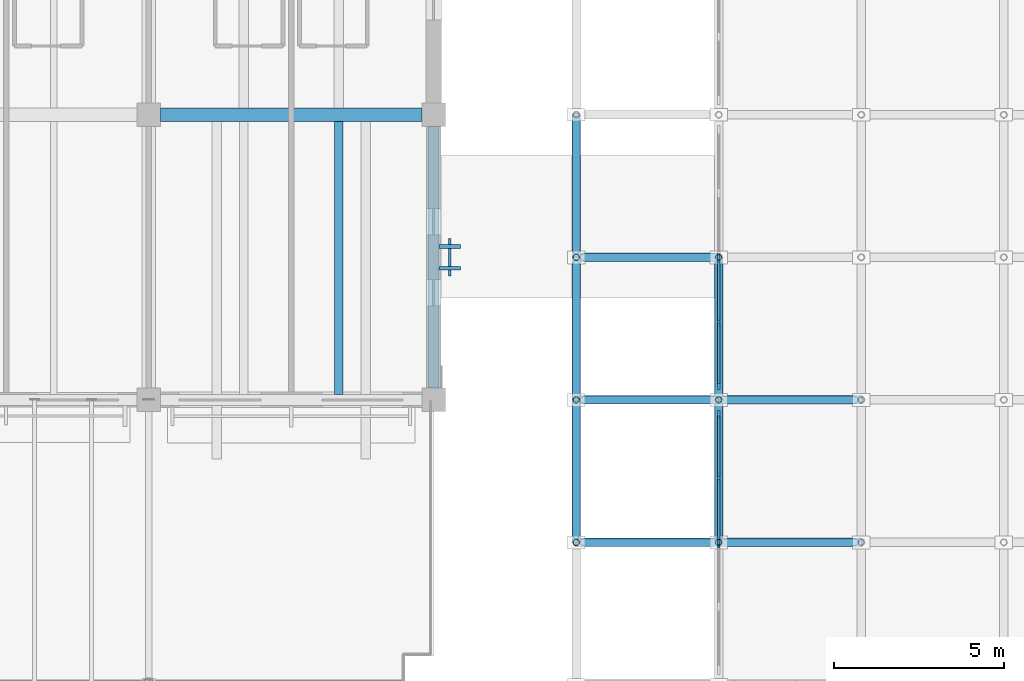
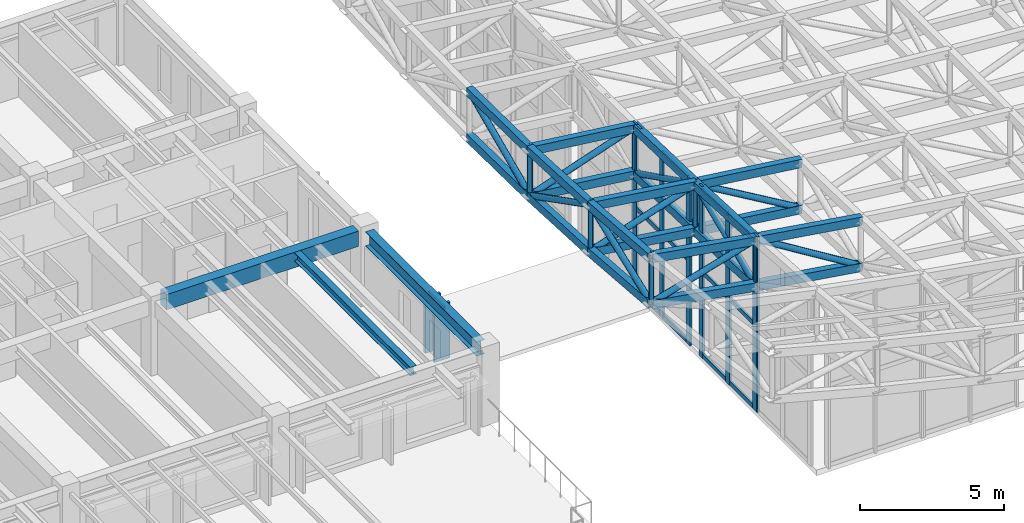
# One storey, part 21 of 111: 58 members, 3 beams, 4 elements without a shape of their own.
"""IFC4 building model written with IfcOpenShell, lengths in metres."""

from ifc_helpers import new_model, si_unit, direction, frame, origin, origin_2d, place, context, subcontext, project, spatial, rectangle, hollow_rectangle, hollow_circle, i_section, extrude, material, material_profile, profile_set, type_object, element, aggregate, save


model = new_model("IFC4")

# Units and contexts
model_context = context("Model", 3, precision=1e-05, world=origin(), true_north=direction((0.0, 1.0)))
body_context = subcontext(model_context, "Body", "Model", "MODEL_VIEW")
ifc_project = project(units=[si_unit("LENGTHUNIT", "METRE"), si_unit("AREAUNIT", "SQUARE_METRE"), si_unit("VOLUMEUNIT", "CUBIC_METRE"), si_unit("PLANEANGLEUNIT", "RADIAN"), si_unit("MASSUNIT", "GRAM", prefix="KILO")], contexts=[model_context])

# Site, building, storey
site_placement = place(None, origin())
site = spatial("IfcSite", under=ifc_project, at=site_placement, CompositionType="ELEMENT")
building_placement = place(site_placement, origin())
building = spatial("IfcBuilding", under=site, at=building_placement, Name="Cumbredor Promenade Congress Hotel", CompositionType="ELEMENT")
storey_placement = place(building_placement, frame((0.0, 0.0, 15.1201171875)))
storey = spatial("IfcBuildingStorey", under=building, at=storey_placement, Name="L04", CompositionType="ELEMENT", Elevation=15.1201171875)

# Beam
ifc_material_1 = material(Name="Concrete C40/50", Category="concrete")
ifc_material_profile_1 = material_profile(ifc_material_1, rectangle(XDim=0.39990234375, YDim=0.64990234375, at=origin_2d()), Name="RC BEAM 400x650")
ifc_profile_set_1 = profile_set([ifc_material_profile_1], Name="Concrete C40/50")
beam_type_1 = type_object("IfcBeamType", Name="BM-RC-400x650", PredefinedType="BEAM", material=ifc_profile_set_1)
beam_1_placement = place(storey_placement, frame((75.949951171875, 100.800048828125, 2.794921875), z_axis=(1.0, 0.0, 0.0), x_axis=(0.0, 1.0, 0.0)))
element("IfcBeam", 1, at=beam_1_placement, inside=storey, type_object=beam_type_1, Name="L05 X-Grid Beam 125", PredefinedType="BEAM", context=body_context, shape_type="SweptSolid", body=[
    extrude(rectangle(XDim=0.39990234375, YDim=0.64990234375, at=origin_2d()), origin(), (0.0, 0.0, 1.0), 7.699951171875),
])

# Curtain wall, member
ifc_material_2 = material(Name="Thermally broken anodized aluminium and low-E glass", Category="aluminium")
curtain_wall_type_1 = type_object("IfcCurtainWallType", Name="Stepped Pavilion Clerestory Curtain Wall CW-06", PredefinedType="NOTDEFINED", material=ifc_material_2)
curtain_wall_1_placement = place(storey_placement, origin())
curtain_wall_1 = element("IfcCurtainWall", 2, at=curtain_wall_1_placement, inside=storey, type_object=curtain_wall_type_1, Name="Pre-Function and Breakout Meeting Forum W Glazed Clerestory 1", PredefinedType="NOTDEFINED")
ifc_material_3 = material(Name="Thermally broken anodized aluminium", Category="aluminium")
ifc_material_profile_2 = material_profile(ifc_material_3, rectangle(XDim=0.0849609375, YDim=0.260009765625, at=origin_2d()), Name="ALU MULLION CLERESTORY 85x260")
ifc_profile_set_2 = profile_set([ifc_material_profile_2], Name="Thermally broken anodized aluminium")
member_type_1 = type_object("IfcMemberType", Name="Curtain Wall Mullion ML-04", PredefinedType="MULLION", material=ifc_profile_set_2)
member_1_placement = place(storey_placement, frame((92.39990234375, 88.159912109375, -0.01806640625), z_axis=(0.0, 0.0, 1.0), x_axis=(1.0, 0.0, 0.0)))
member_1 = element("IfcMember", 3, at=member_1_placement, type_object=member_type_1, Name="Pre-Function and Breakout Meeting Forum W Glazed Clerestory 1 Mullion 3", PredefinedType="MULLION", context=body_context, shape_type="SweptSolid", body=[
    extrude(rectangle(XDim=0.0849609375, YDim=0.260009765625, at=origin_2d()), origin(), (0.0, 0.0, 1.0), 7.4609375),
])
aggregate(curtain_wall_1, [member_1])

# Curtain wall, members
curtain_wall_2_placement = place(storey_placement, origin())
curtain_wall_2 = element("IfcCurtainWall", 4, at=curtain_wall_2_placement, inside=storey, type_object=curtain_wall_type_1, Name="Pre-Function and Breakout Meeting Forum W Glazed Clerestory 2", PredefinedType="NOTDEFINED")
member_2_placement = place(storey_placement, frame((92.39990234375, 88.239990234375, -0.01806640625), z_axis=(0.0, 0.0, 1.0), x_axis=(1.0, 0.0, 0.0)))
member_2 = element("IfcMember", 5, at=member_2_placement, type_object=member_type_1, Name="Pre-Function and Breakout Meeting Forum W Glazed Clerestory 2 Mullion 1", PredefinedType="MULLION", context=body_context, shape_type="SweptSolid", body=[
    extrude(rectangle(XDim=0.0849609375, YDim=0.260009765625, at=origin_2d()), origin(), (0.0, 0.0, 1.0), 7.248046875),
])
member_3_placement = place(storey_placement, frame((92.39990234375, 90.10009765625, -0.01806640625), z_axis=(0.0, 0.0, 1.0), x_axis=(1.0, 0.0, 0.0)))
member_3 = element("IfcMember", 6, at=member_3_placement, type_object=member_type_1, Name="Pre-Function and Breakout Meeting Forum W Glazed Clerestory 2 Mullion 2", PredefinedType="MULLION", context=body_context, shape_type="SweptSolid", body=[
    extrude(rectangle(XDim=0.0849609375, YDim=0.260009765625, at=origin_2d()), origin(), (0.0, 0.0, 1.0), 7.248046875),
])
member_4_placement = place(storey_placement, frame((92.39990234375, 91.9599609375, -0.01806640625), z_axis=(0.0, 0.0, 1.0), x_axis=(1.0, 0.0, 0.0)))
member_4 = element("IfcMember", 7, at=member_4_placement, type_object=member_type_1, Name="Pre-Function and Breakout Meeting Forum W Glazed Clerestory 2 Mullion 3", PredefinedType="MULLION", context=body_context, shape_type="SweptSolid", body=[
    extrude(rectangle(XDim=0.0849609375, YDim=0.260009765625, at=origin_2d()), origin(), (0.0, 0.0, 1.0), 7.248046875),
])

curtain_wall_3_placement = place(storey_placement, origin())
curtain_wall_3 = element("IfcCurtainWall", 8, at=curtain_wall_3_placement, inside=storey, type_object=curtain_wall_type_1, Name="Pre-Function and Breakout Meeting Forum W Glazed Clerestory 3", PredefinedType="NOTDEFINED")
member_5_placement = place(storey_placement, frame((92.39990234375, 92.840087890625, -0.01806640625), z_axis=(0.0, 0.0, 1.0), x_axis=(1.0, 0.0, 0.0)))
member_5 = element("IfcMember", 9, at=member_5_placement, type_object=member_type_1, Name="Pre-Function and Breakout Meeting Forum W Glazed Clerestory 3 Mullion 1", PredefinedType="MULLION", context=body_context, shape_type="SweptSolid", body=[
    extrude(rectangle(XDim=0.0849609375, YDim=0.260009765625, at=origin_2d()), origin(), (0.0, 0.0, 1.0), 7.12060546875),
])
member_6_placement = place(storey_placement, frame((92.39990234375, 94.699951171875, -0.01806640625), z_axis=(0.0, 0.0, 1.0), x_axis=(1.0, 0.0, 0.0)))
member_6 = element("IfcMember", 10, at=member_6_placement, type_object=member_type_1, Name="Pre-Function and Breakout Meeting Forum W Glazed Clerestory 3 Mullion 2", PredefinedType="MULLION", context=body_context, shape_type="SweptSolid", body=[
    extrude(rectangle(XDim=0.0849609375, YDim=0.260009765625, at=origin_2d()), origin(), (0.0, 0.0, 1.0), 7.12060546875),
])
member_7_placement = place(storey_placement, frame((92.39990234375, 96.56005859375, -0.01806640625), z_axis=(0.0, 0.0, 1.0), x_axis=(1.0, 0.0, 0.0)))
member_7 = element("IfcMember", 11, at=member_7_placement, type_object=member_type_1, Name="Pre-Function and Breakout Meeting Forum W Glazed Clerestory 3 Mullion 3", PredefinedType="MULLION", context=body_context, shape_type="SweptSolid", body=[
    extrude(rectangle(XDim=0.0849609375, YDim=0.260009765625, at=origin_2d()), origin(), (0.0, 0.0, 1.0), 7.12060546875),
])

# Curtain wall, member
curtain_wall_type_2 = type_object("IfcCurtainWallType", Name="Solar Brise-Soleil Screen Assembly CW-07", PredefinedType="NOTDEFINED", material=ifc_material_2)
curtain_wall_4_placement = place(storey_placement, origin())
curtain_wall_4 = element("IfcCurtainWall", 12, at=curtain_wall_4_placement, inside=storey, type_object=curtain_wall_type_2, Name="L04 Pier Brise-Soleil Screen 0796", PredefinedType="NOTDEFINED")
ifc_material_profile_3 = material_profile(ifc_material_3, rectangle(XDim=0.06494140625, YDim=0.1298828125, at=origin_2d()), Name="ALU TRANSOM 65x130")
ifc_profile_set_3 = profile_set([ifc_material_profile_3], Name="Thermally broken anodized aluminium")
member_type_2 = type_object("IfcMemberType", Name="Curtain Wall Transom TR-01", PredefinedType="USERDEFINED", material=ifc_profile_set_3)
member_8_placement = place(storey_placement, frame((84.472412109375, 96.050048828125, 2.333984375), z_axis=(0.0, 1.0, 0.0), x_axis=(-1.0, 0.0, 0.0)))
member_8 = element("IfcMember", 13, at=member_8_placement, type_object=member_type_2, Name="L04 Pier Brise-Soleil Header 0798", ObjectType="TRANSOM", PredefinedType="USERDEFINED", context=body_context, shape_type="SweptSolid", body=[
    extrude(rectangle(XDim=0.06494140625, YDim=0.1298828125, at=origin_2d()), origin(), (0.0, 0.0, 1.0), 1.099853515625),
])

# Member
ifc_material_profile_4 = material_profile(ifc_material_3, rectangle(XDim=0.080078125, YDim=0.179931640625, at=origin_2d()), Name="ALU TRANSOM 80x180")
ifc_profile_set_4 = profile_set([ifc_material_profile_4], Name="Thermally broken anodized aluminium")
member_type_3 = type_object("IfcMemberType", Name="Curtain Wall Transom TR-03", PredefinedType="USERDEFINED", material=ifc_profile_set_4)
member_9_placement = place(storey_placement, frame((92.39990234375, 88.282470703125, 0.079833984375), z_axis=(0.0, 1.0, 0.0), x_axis=(-1.0, 0.0, 0.0)))
member_9 = element("IfcMember", 14, at=member_9_placement, type_object=member_type_3, Name="Pre-Function and Breakout Meeting Forum W Glazed Clerestory 2 Transom 1.1", ObjectType="TRANSOM", PredefinedType="USERDEFINED", context=body_context, shape_type="SweptSolid", body=[
    extrude(rectangle(XDim=0.080078125, YDim=0.179931640625, at=origin_2d()), origin(), (0.0, 0.0, 1.0), 1.775146484375),
])

member_10_placement = place(storey_placement, frame((92.39990234375, 88.282470703125, 3.60986328125), z_axis=(0.0, 1.0, 0.0), x_axis=(-1.0, 0.0, 0.0)))
member_10 = element("IfcMember", 15, at=member_10_placement, type_object=member_type_3, Name="Pre-Function and Breakout Meeting Forum W Glazed Clerestory 2 Transom 1.2", ObjectType="TRANSOM", PredefinedType="USERDEFINED", context=body_context, shape_type="SweptSolid", body=[
    extrude(rectangle(XDim=0.080078125, YDim=0.179931640625, at=origin_2d()), origin(), (0.0, 0.0, 1.0), 1.775146484375),
])

member_11_placement = place(storey_placement, frame((92.39990234375, 88.282470703125, 7.1298828125), z_axis=(0.0, 1.0, 0.0), x_axis=(-1.0, 0.0, 0.0)))
member_11 = element("IfcMember", 16, at=member_11_placement, type_object=member_type_3, Name="Pre-Function and Breakout Meeting Forum W Glazed Clerestory 2 Transom 1.3", ObjectType="TRANSOM", PredefinedType="USERDEFINED", context=body_context, shape_type="SweptSolid", body=[
    extrude(rectangle(XDim=0.080078125, YDim=0.179931640625, at=origin_2d()), origin(), (0.0, 0.0, 1.0), 1.775146484375),
])

member_12_placement = place(storey_placement, frame((92.39990234375, 90.142578125, 0.079833984375), z_axis=(0.0, 1.0, 0.0), x_axis=(-1.0, 0.0, 0.0)))
member_12 = element("IfcMember", 17, at=member_12_placement, type_object=member_type_3, Name="Pre-Function and Breakout Meeting Forum W Glazed Clerestory 2 Transom 2.1", ObjectType="TRANSOM", PredefinedType="USERDEFINED", context=body_context, shape_type="SweptSolid", body=[
    extrude(rectangle(XDim=0.080078125, YDim=0.179931640625, at=origin_2d()), origin(), (0.0, 0.0, 1.0), 1.77490234375),
])

member_13_placement = place(storey_placement, frame((92.39990234375, 90.142578125, 3.60986328125), z_axis=(0.0, 1.0, 0.0), x_axis=(-1.0, 0.0, 0.0)))
member_13 = element("IfcMember", 18, at=member_13_placement, type_object=member_type_3, Name="Pre-Function and Breakout Meeting Forum W Glazed Clerestory 2 Transom 2.2", ObjectType="TRANSOM", PredefinedType="USERDEFINED", context=body_context, shape_type="SweptSolid", body=[
    extrude(rectangle(XDim=0.080078125, YDim=0.179931640625, at=origin_2d()), origin(), (0.0, 0.0, 1.0), 1.77490234375),
])

member_14_placement = place(storey_placement, frame((92.39990234375, 90.142578125, 7.1298828125), z_axis=(0.0, 1.0, 0.0), x_axis=(-1.0, 0.0, 0.0)))
member_14 = element("IfcMember", 19, at=member_14_placement, type_object=member_type_3, Name="Pre-Function and Breakout Meeting Forum W Glazed Clerestory 2 Transom 2.3", ObjectType="TRANSOM", PredefinedType="USERDEFINED", context=body_context, shape_type="SweptSolid", body=[
    extrude(rectangle(XDim=0.080078125, YDim=0.179931640625, at=origin_2d()), origin(), (0.0, 0.0, 1.0), 1.77490234375),
])

aggregate(curtain_wall_2, [member_2, member_3, member_4, member_9, member_10, member_11, member_12, member_13, member_14])

member_15_placement = place(storey_placement, frame((92.39990234375, 92.882568359375, 0.079833984375), z_axis=(0.0, 1.0, 0.0), x_axis=(-1.0, 0.0, 0.0)))
member_15 = element("IfcMember", 20, at=member_15_placement, type_object=member_type_3, Name="Pre-Function and Breakout Meeting Forum W Glazed Clerestory 3 Transom 1.1", ObjectType="TRANSOM", PredefinedType="USERDEFINED", context=body_context, shape_type="SweptSolid", body=[
    extrude(rectangle(XDim=0.080078125, YDim=0.179931640625, at=origin_2d()), origin(), (0.0, 0.0, 1.0), 1.77490234375),
])

member_16_placement = place(storey_placement, frame((92.39990234375, 92.882568359375, 3.539794921875), z_axis=(0.0, 1.0, 0.0), x_axis=(-1.0, 0.0, 0.0)))
member_16 = element("IfcMember", 21, at=member_16_placement, type_object=member_type_3, Name="Pre-Function and Breakout Meeting Forum W Glazed Clerestory 3 Transom 1.2", ObjectType="TRANSOM", PredefinedType="USERDEFINED", context=body_context, shape_type="SweptSolid", body=[
    extrude(rectangle(XDim=0.080078125, YDim=0.179931640625, at=origin_2d()), origin(), (0.0, 0.0, 1.0), 1.77490234375),
])

member_17_placement = place(storey_placement, frame((92.39990234375, 92.882568359375, 7.0), z_axis=(0.0, 1.0, 0.0), x_axis=(-1.0, 0.0, 0.0)))
member_17 = element("IfcMember", 22, at=member_17_placement, type_object=member_type_3, Name="Pre-Function and Breakout Meeting Forum W Glazed Clerestory 3 Transom 1.3", ObjectType="TRANSOM", PredefinedType="USERDEFINED", context=body_context, shape_type="SweptSolid", body=[
    extrude(rectangle(XDim=0.080078125, YDim=0.179931640625, at=origin_2d()), origin(), (0.0, 0.0, 1.0), 1.77490234375),
])

member_18_placement = place(storey_placement, frame((92.39990234375, 94.742431640625, 0.079833984375), z_axis=(0.0, 1.0, 0.0), x_axis=(-1.0, 0.0, 0.0)))
member_18 = element("IfcMember", 23, at=member_18_placement, type_object=member_type_3, Name="Pre-Function and Breakout Meeting Forum W Glazed Clerestory 3 Transom 2.1", ObjectType="TRANSOM", PredefinedType="USERDEFINED", context=body_context, shape_type="SweptSolid", body=[
    extrude(rectangle(XDim=0.080078125, YDim=0.179931640625, at=origin_2d()), origin(), (0.0, 0.0, 1.0), 1.775146484375),
])

member_19_placement = place(storey_placement, frame((92.39990234375, 94.742431640625, 3.539794921875), z_axis=(0.0, 1.0, 0.0), x_axis=(-1.0, 0.0, 0.0)))
member_19 = element("IfcMember", 24, at=member_19_placement, type_object=member_type_3, Name="Pre-Function and Breakout Meeting Forum W Glazed Clerestory 3 Transom 2.2", ObjectType="TRANSOM", PredefinedType="USERDEFINED", context=body_context, shape_type="SweptSolid", body=[
    extrude(rectangle(XDim=0.080078125, YDim=0.179931640625, at=origin_2d()), origin(), (0.0, 0.0, 1.0), 1.775146484375),
])

member_20_placement = place(storey_placement, frame((92.39990234375, 94.742431640625, 7.0), z_axis=(0.0, 1.0, 0.0), x_axis=(-1.0, 0.0, 0.0)))
member_20 = element("IfcMember", 25, at=member_20_placement, type_object=member_type_3, Name="Pre-Function and Breakout Meeting Forum W Glazed Clerestory 3 Transom 2.3", ObjectType="TRANSOM", PredefinedType="USERDEFINED", context=body_context, shape_type="SweptSolid", body=[
    extrude(rectangle(XDim=0.080078125, YDim=0.179931640625, at=origin_2d()), origin(), (0.0, 0.0, 1.0), 1.775146484375),
])

aggregate(curtain_wall_3, [member_5, member_6, member_7, member_15, member_16, member_17, member_18, member_19, member_20])

# Members
ifc_material_4 = material(Name="Steel ASTM A500 Grade C", Category="steel")
ifc_material_profile_5 = material_profile(ifc_material_4, hollow_rectangle(XDim=0.25, YDim=0.35009765625, WallThickness=0.01611328125, at=origin_2d()), Name="HSS 350x250x16")
ifc_profile_set_5 = profile_set([ifc_material_profile_5], Name="Steel ASTM A500 Grade C")
member_type_4 = type_object("IfcMemberType", Name="Forum Roof Truss Chord", PredefinedType="CHORD", material=ifc_profile_set_5)
for number, where, z_axis, x_axis, name in (
    (26, (88.199951171875, 88.199951171875, 7.953857421875), (0.985936316925, 0.0, -0.167121449756), (0.0, 1.0, 0.0), "Pre-Function and Breakout Meeting Forum X Top Chord 1.3"),
    (27, (88.199951171875, 88.199951171875, 6.003662109375), (0.985945758784, 0.0, -0.16706573777), (0.0, 1.0, 0.0), "Pre-Function and Breakout Meeting Forum X Bottom Chord 1.3"),
):
    element("IfcMember", number, at=place(storey_placement, frame(where, z_axis=z_axis, x_axis=x_axis)), inside=storey, type_object=member_type_4, Name=name, PredefinedType="CHORD", context=body_context, shape_type="SweptSolid", body=[
        extrude(hollow_rectangle(XDim=0.25, YDim=0.35009765625, WallThickness=0.01611328125, at=origin_2d()), origin(), (0.0, 0.0, 1.0), 4.259765625),
    ])
for number, where, z_axis, x_axis, name in (
    (28, (92.39990234375, 88.199951171875, 7.241943359375), (0.988524639822, 0.0, -0.151059711584), (0.0, 1.0, 0.0), "Pre-Function and Breakout Meeting Forum X Top Chord 2.3"),
    (29, (92.39990234375, 88.199951171875, 5.2919921875), (0.988524639822, 0.0, -0.151059711584), (0.0, 1.0, 0.0), "Pre-Function and Breakout Meeting Forum X Bottom Chord 2.3"),
):
    element("IfcMember", number, at=place(storey_placement, frame(where, z_axis=z_axis, x_axis=x_axis)), inside=storey, type_object=member_type_4, Name=name, PredefinedType="CHORD", context=body_context, shape_type="SweptSolid", body=[
        extrude(hollow_rectangle(XDim=0.25, YDim=0.35009765625, WallThickness=0.01611328125, at=origin_2d()), origin(), (0.0, 0.0, 1.0), 4.2490234375),
    ])
for number, where, z_axis, x_axis, name in (
    (30, (88.199951171875, 92.39990234375, 7.61572265625), (0.990384544095, 0.0, -0.138341804305), (0.0, 1.0, 0.0), "Pre-Function and Breakout Meeting Forum X Top Chord 1.4"),
    (31, (88.199951171875, 92.39990234375, 5.665771484375), (0.990384544095, 0.0, -0.138341804305), (0.0, 1.0, 0.0), "Pre-Function and Breakout Meeting Forum X Bottom Chord 1.4"),
):
    element("IfcMember", number, at=place(storey_placement, frame(where, z_axis=z_axis, x_axis=x_axis)), inside=storey, type_object=member_type_4, Name=name, PredefinedType="CHORD", context=body_context, shape_type="SweptSolid", body=[
        extrude(hollow_rectangle(XDim=0.25, YDim=0.35009765625, WallThickness=0.01611328125, at=origin_2d()), origin(), (0.0, 0.0, 1.0), 4.24072265625),
    ])
for number, where, z_axis, x_axis, name in (
    (32, (92.39990234375, 92.39990234375, 7.029052734375), (0.99216031926, 0.0, -0.124971600316), (0.0, 1.0, 0.0), "Pre-Function and Breakout Meeting Forum X Top Chord 2.4"),
    (33, (92.39990234375, 92.39990234375, 5.0791015625), (0.992153167036, 0.0, -0.125028369341), (0.0, 1.0, 0.0), "Pre-Function and Breakout Meeting Forum X Bottom Chord 2.4"),
):
    element("IfcMember", number, at=place(storey_placement, frame(where, z_axis=z_axis, x_axis=x_axis)), inside=storey, type_object=member_type_4, Name=name, PredefinedType="CHORD", context=body_context, shape_type="SweptSolid", body=[
        extrude(hollow_rectangle(XDim=0.25, YDim=0.35009765625, WallThickness=0.01611328125, at=origin_2d()), origin(), (0.0, 0.0, 1.0), 4.2333984375),
    ])
for number, where, z_axis, x_axis, name in (
    (34, (88.199951171875, 96.60009765625, 7.412841796875), (0.992666157769, 0.0, -0.120887961433), (0.0, 1.0, 0.0), "Pre-Function and Breakout Meeting Forum X Top Chord 1.5"),
    (35, (88.199951171875, 96.60009765625, 5.462890625), (0.992666157769, 0.0, -0.120887961433), (0.0, 1.0, 0.0), "Pre-Function and Breakout Meeting Forum X Bottom Chord 1.5"),
):
    element("IfcMember", number, at=place(storey_placement, frame(where, z_axis=z_axis, x_axis=x_axis)), inside=storey, type_object=member_type_4, Name=name, PredefinedType="CHORD", context=body_context, shape_type="SweptSolid", body=[
        extrude(hollow_rectangle(XDim=0.25, YDim=0.35009765625, WallThickness=0.01611328125, at=origin_2d()), origin(), (0.0, 0.0, 1.0), 4.23095703125),
    ])
for number, where, z_axis, x_axis, name in (
    (36, (88.199951171875, 88.199951171875, 7.953857421875), (0.0, 0.996774803477, -0.080249555474), (-1.0, 0.0, 0.0), "Pre-Function and Breakout Meeting Forum Y Top Chord 1.3"),
    (37, (88.199951171875, 88.199951171875, 6.003662109375), (0.0, 0.996779436652, -0.0801919863), (-1.0, 0.0, 0.0), "Pre-Function and Breakout Meeting Forum Y Bottom Chord 1.3"),
):
    element("IfcMember", number, at=place(storey_placement, frame(where, z_axis=z_axis, x_axis=x_axis)), inside=storey, type_object=member_type_4, Name=name, PredefinedType="CHORD", context=body_context, shape_type="SweptSolid", body=[
        extrude(hollow_rectangle(XDim=0.25, YDim=0.35009765625, WallThickness=0.01611328125, at=origin_2d()), origin(), (0.0, 0.0, 1.0), 4.213623046875),
    ])
for number, where, z_axis, x_axis, name in (
    (38, (88.199951171875, 92.39990234375, 7.61572265625), (0.0, 0.998835460996, -0.048246469896), (-1.0, 0.0, 0.0), "Pre-Function and Breakout Meeting Forum Y Top Chord 1.4"),
    (39, (88.199951171875, 92.39990234375, 5.665771484375), (0.0, 0.998835460996, -0.048246469896), (-1.0, 0.0, 0.0), "Pre-Function and Breakout Meeting Forum Y Bottom Chord 1.4"),
):
    element("IfcMember", number, at=place(storey_placement, frame(where, z_axis=z_axis, x_axis=x_axis)), inside=storey, type_object=member_type_4, Name=name, PredefinedType="CHORD", context=body_context, shape_type="SweptSolid", body=[
        extrude(hollow_rectangle(XDim=0.25, YDim=0.35009765625, WallThickness=0.01611328125, at=origin_2d()), origin(), (0.0, 0.0, 1.0), 4.205078125),
    ])
for number, where, z_axis, x_axis, name in (
    (40, (88.199951171875, 96.60009765625, 7.412841796875), (0.0, 0.999870390533, -0.016099755751), (-1.0, 0.0, 0.0), "Pre-Function and Breakout Meeting Forum Y Top Chord 1.5"),
    (41, (88.199951171875, 96.60009765625, 5.462890625), (0.0, 0.999870390533, -0.016099755751), (-1.0, 0.0, 0.0), "Pre-Function and Breakout Meeting Forum Y Bottom Chord 1.5"),
):
    element("IfcMember", number, at=place(storey_placement, frame(where, z_axis=z_axis, x_axis=x_axis)), inside=storey, type_object=member_type_4, Name=name, PredefinedType="CHORD", context=body_context, shape_type="SweptSolid", body=[
        extrude(hollow_rectangle(XDim=0.25, YDim=0.35009765625, WallThickness=0.01611328125, at=origin_2d()), origin(), (0.0, 0.0, 1.0), 4.200439453125),
    ])
for number, where, z_axis, x_axis, name in (
    (42, (92.39990234375, 88.199951171875, 7.241943359375), (0.0, 0.998717791398, -0.050623839685), (-1.0, 0.0, 0.0), "Pre-Function and Breakout Meeting Forum Y Top Chord 2.3"),
    (43, (92.39990234375, 88.199951171875, 5.2919921875), (0.0, 0.998717791398, -0.050623839685), (-1.0, 0.0, 0.0), "Pre-Function and Breakout Meeting Forum Y Bottom Chord 2.3"),
):
    element("IfcMember", number, at=place(storey_placement, frame(where, z_axis=z_axis, x_axis=x_axis)), inside=storey, type_object=member_type_4, Name=name, PredefinedType="CHORD", context=body_context, shape_type="SweptSolid", body=[
        extrude(hollow_rectangle(XDim=0.25, YDim=0.35009765625, WallThickness=0.01611328125, at=origin_2d()), origin(), (0.0, 0.0, 1.0), 4.205322265625),
    ])
for number, where, z_axis, x_axis, name in (
    (44, (92.39990234375, 92.39990234375, 7.029052734375), (0.0, 0.999538242854, -0.030385869624), (-1.0, 0.0, 0.0), "Pre-Function and Breakout Meeting Forum Y Top Chord 2.4"),
    (45, (92.39990234375, 92.39990234375, 5.0791015625), (0.0, 0.999538242854, -0.030385869624), (-1.0, 0.0, 0.0), "Pre-Function and Breakout Meeting Forum Y Bottom Chord 2.4"),
):
    element("IfcMember", number, at=place(storey_placement, frame(where, z_axis=z_axis, x_axis=x_axis)), inside=storey, type_object=member_type_4, Name=name, PredefinedType="CHORD", context=body_context, shape_type="SweptSolid", body=[
        extrude(hollow_rectangle(XDim=0.25, YDim=0.35009765625, WallThickness=0.01611328125, at=origin_2d()), origin(), (0.0, 0.0, 1.0), 4.2021484375),
    ])

# Beams
ifc_material_5 = material(Name="Steel ASTM A992 Grade 50", Category="steel")
ifc_material_profile_6 = material_profile(ifc_material_5, i_section(OverallWidth=0.2548828125, OverallDepth=0.35693359375, WebThickness=0.010498046875, FlangeThickness=0.018310546875, at=origin_2d()), Name="W14X68")
ifc_profile_set_6 = profile_set([ifc_material_profile_6], Name="Steel ASTM A992 Grade 50")
beam_type_2 = type_object("IfcBeamType", Name="JST-W14X68", PredefinedType="JOIST", material=ifc_profile_set_6)
beam_2_placement = place(storey_placement, frame((81.199951171875, 92.56201171875, 2.94140625), z_axis=(0.0, 1.0, 0.0), x_axis=(-1.0, 0.0, 0.0)))
element("IfcBeam", 46, at=beam_2_placement, inside=storey, type_object=beam_type_2, Name="L05 Secondary Floor Joist 0071", PredefinedType="JOIST", context=body_context, shape_type="SweptSolid", body=[
    extrude(i_section(OverallWidth=0.2548828125, OverallDepth=0.35693359375, WebThickness=0.010498046875, FlangeThickness=0.018310546875, at=origin_2d()), origin(), (0.0, 0.0, 1.0), 8.0380859375),
])
ifc_material_profile_7 = material_profile(ifc_material_5, i_section(OverallWidth=0.323974609375, OverallDepth=0.611083984375, WebThickness=0.0126953125, FlangeThickness=0.01904296875, at=origin_2d()), Name="W24X104")
ifc_profile_set_7 = profile_set([ifc_material_profile_7], Name="Steel ASTM A992 Grade 50")
beam_type_3 = type_object("IfcBeamType", Name="SP-W24X104", PredefinedType="SPANDREL", material=ifc_profile_set_7)
beam_3_placement = place(storey_placement, frame((84.0, 92.75, 2.814453125), z_axis=(0.0, 1.0, 0.0), x_axis=(-1.0, 0.0, 0.0)))
element("IfcBeam", 47, at=beam_3_placement, inside=storey, type_object=beam_type_3, Name="L05 Y-Grid Beam 130", PredefinedType="SPANDREL", context=body_context, shape_type="SweptSolid", body=[
    extrude(i_section(OverallWidth=0.323974609375, OverallDepth=0.611083984375, WebThickness=0.0126953125, FlangeThickness=0.01904296875, at=origin_2d()), origin(), (0.0, 0.0, 1.0), 7.699951171875),
])

# Members
ifc_material_profile_8 = material_profile(ifc_material_4, hollow_circle(Radius=0.122314453125, WallThickness=0.012451171875, at=origin_2d()), Name="CHS 244.5x12.5")
ifc_profile_set_8 = profile_set([ifc_material_profile_8], Name="Steel ASTM A500 Grade C")
member_type_5 = type_object("IfcMemberType", Name="Space Frame Web Diagonal D2", PredefinedType="BRACE", material=ifc_profile_set_8)
member_21_placement = place(storey_placement, frame((88.199951171875, 88.199951171875, 6.003662109375), z_axis=(0.959179734942, 0.0, 0.282797164194), x_axis=(0.0, 1.0, 0.0)))
element("IfcMember", 48, at=member_21_placement, inside=storey, type_object=member_type_5, Name="Pre-Function and Breakout Meeting Forum X Web Diagonal 1.3", PredefinedType="BRACE", context=body_context, shape_type="SweptSolid", body=[
    extrude(hollow_circle(Radius=0.122314453125, WallThickness=0.012451171875, at=origin_2d()), origin(), (0.0, 0.0, 1.0), 4.378662109375),
])
member_22_placement = place(storey_placement, frame((92.39990234375, 88.199951171875, 7.241943359375), z_axis=(0.851019080269, 0.0, -0.525134768434), x_axis=(0.0, 1.0, 0.0)))
element("IfcMember", 49, at=member_22_placement, inside=storey, type_object=member_type_5, Name="Pre-Function and Breakout Meeting Forum X Web Diagonal 2.3", PredefinedType="BRACE", context=body_context, shape_type="SweptSolid", body=[
    extrude(hollow_circle(Radius=0.122314453125, WallThickness=0.012451171875, at=origin_2d()), origin(), (0.0, 0.0, 1.0), 4.935546875),
])
member_23_placement = place(storey_placement, frame((88.199951171875, 92.39990234375, 5.665771484375), z_axis=(0.951147365682, 0.0, 0.308737248734), x_axis=(0.0, 1.0, 0.0)))
element("IfcMember", 50, at=member_23_placement, inside=storey, type_object=member_type_5, Name="Pre-Function and Breakout Meeting Forum X Web Diagonal 1.4", PredefinedType="BRACE", context=body_context, shape_type="SweptSolid", body=[
    extrude(hollow_circle(Radius=0.122314453125, WallThickness=0.012451171875, at=origin_2d()), origin(), (0.0, 0.0, 1.0), 4.415771484375),
])
member_24_placement = place(storey_placement, frame((92.39990234375, 92.39990234375, 7.029052734375), z_axis=(0.861167590652, 0.0, -0.508321139449), x_axis=(0.0, 1.0, 0.0)))
element("IfcMember", 51, at=member_24_placement, inside=storey, type_object=member_type_5, Name="Pre-Function and Breakout Meeting Forum X Web Diagonal 2.4", PredefinedType="BRACE", context=body_context, shape_type="SweptSolid", body=[
    extrude(hollow_circle(Radius=0.122314453125, WallThickness=0.012451171875, at=origin_2d()), origin(), (0.0, 0.0, 1.0), 4.87744140625),
])
member_25_placement = place(storey_placement, frame((88.199951171875, 96.60009765625, 5.462890625), z_axis=(0.946050018947, 0.0, 0.324020619173), x_axis=(0.0, 1.0, 0.0)))
element("IfcMember", 52, at=member_25_placement, inside=storey, type_object=member_type_5, Name="Pre-Function and Breakout Meeting Forum X Web Diagonal 1.5", PredefinedType="BRACE", context=body_context, shape_type="SweptSolid", body=[
    extrude(hollow_circle(Radius=0.122314453125, WallThickness=0.012451171875, at=origin_2d()), origin(), (0.0, 0.0, 1.0), 4.439453125),
])
member_26_placement = place(storey_placement, frame((88.199951171875, 88.199951171875, 6.003662109375), z_axis=(0.0, 0.933591555924, 0.358338955052), x_axis=(-1.0, 0.0, 0.0)))
element("IfcMember", 53, at=member_26_placement, inside=storey, type_object=member_type_5, Name="Pre-Function and Breakout Meeting Forum Y Web Diagonal 1.3", PredefinedType="BRACE", context=body_context, shape_type="SweptSolid", body=[
    extrude(hollow_circle(Radius=0.122314453125, WallThickness=0.012451171875, at=origin_2d()), origin(), (0.0, 0.0, 1.0), 4.498779296875),
])
member_27_placement = place(storey_placement, frame((88.199951171875, 92.39990234375, 7.61572265625), z_axis=(0.0, 0.889913303945, -0.456129709032), x_axis=(-1.0, 0.0, 0.0)))
element("IfcMember", 54, at=member_27_placement, inside=storey, type_object=member_type_5, Name="Pre-Function and Breakout Meeting Forum Y Web Diagonal 1.4", PredefinedType="BRACE", context=body_context, shape_type="SweptSolid", body=[
    extrude(hollow_circle(Radius=0.122314453125, WallThickness=0.012451171875, at=origin_2d()), origin(), (0.0, 0.0, 1.0), 4.7197265625),
])
member_28_placement = place(storey_placement, frame((88.199951171875, 96.60009765625, 5.462890625), z_axis=(0.0, 0.91254277693, 0.408981271298), x_axis=(-1.0, 0.0, 0.0)))
element("IfcMember", 55, at=member_28_placement, inside=storey, type_object=member_type_5, Name="Pre-Function and Breakout Meeting Forum Y Web Diagonal 1.5", PredefinedType="BRACE", context=body_context, shape_type="SweptSolid", body=[
    extrude(hollow_circle(Radius=0.122314453125, WallThickness=0.012451171875, at=origin_2d()), origin(), (0.0, 0.0, 1.0), 4.6025390625),
])
member_29_placement = place(storey_placement, frame((92.39990234375, 88.199951171875, 5.2919921875), z_axis=(0.0, 0.924082914306, 0.382192055763), x_axis=(-1.0, 0.0, 0.0)))
element("IfcMember", 56, at=member_29_placement, inside=storey, type_object=member_type_5, Name="Pre-Function and Breakout Meeting Forum Y Web Diagonal 2.3", PredefinedType="BRACE", context=body_context, shape_type="SweptSolid", body=[
    extrude(hollow_circle(Radius=0.122314453125, WallThickness=0.012451171875, at=origin_2d()), origin(), (0.0, 0.0, 1.0), 4.544921875),
])
member_30_placement = place(storey_placement, frame((92.39990234375, 92.39990234375, 7.029052734375), z_axis=(0.0, 0.896336267945, -0.443374891898), x_axis=(-1.0, 0.0, 0.0)))
element("IfcMember", 57, at=member_30_placement, inside=storey, type_object=member_type_5, Name="Pre-Function and Breakout Meeting Forum Y Web Diagonal 2.4", PredefinedType="BRACE", context=body_context, shape_type="SweptSolid", body=[
    extrude(hollow_circle(Radius=0.122314453125, WallThickness=0.012451171875, at=origin_2d()), origin(), (0.0, 0.0, 1.0), 4.68603515625),
])
ifc_material_profile_9 = material_profile(ifc_material_4, hollow_circle(Radius=0.096923828125, WallThickness=0.010009765625, at=origin_2d()), Name="CHS 193.7x10")
ifc_profile_set_9 = profile_set([ifc_material_profile_9], Name="Steel ASTM A500 Grade C")
member_type_6 = type_object("IfcMemberType", Name="Space Frame Web Post P1", PredefinedType="BRACE", material=ifc_profile_set_9)
member_31_placement = place(storey_placement, frame((88.199951171875, 88.199951171875, 6.003662109375), z_axis=(0.0, 0.0, 1.0), x_axis=(1.0, 0.0, 0.0)))
element("IfcMember", 58, at=member_31_placement, inside=storey, type_object=member_type_6, Name="Pre-Function and Breakout Meeting Forum Space Frame Web Post 1.3", PredefinedType="BRACE", context=body_context, shape_type="SweptSolid", body=[
    extrude(hollow_circle(Radius=0.096923828125, WallThickness=0.010009765625, at=origin_2d()), origin(), (0.0, 0.0, 1.0), 1.9501953125),
])
for number, where, z_axis, x_axis, name in (
    (59, (88.199951171875, 92.39990234375, 5.665771484375), (0.0, 0.0, 1.0), (1.0, 0.0, 0.0), "Pre-Function and Breakout Meeting Forum Space Frame Web Post 1.4"),
    (60, (88.199951171875, 96.60009765625, 5.462890625), (0.0, 0.0, 1.0), (1.0, 0.0, 0.0), "Pre-Function and Breakout Meeting Forum Space Frame Web Post 1.5"),
    (61, (92.39990234375, 88.199951171875, 5.2919921875), (0.0, 0.0, 1.0), (1.0, 0.0, 0.0), "Pre-Function and Breakout Meeting Forum Space Frame Web Post 2.3"),
    (62, (92.39990234375, 92.39990234375, 5.0791015625), (0.0, 0.0, 1.0), (1.0, 0.0, 0.0), "Pre-Function and Breakout Meeting Forum Space Frame Web Post 2.4"),
    (63, (92.39990234375, 96.60009765625, 4.951416015625), (0.0, 0.0, 1.0), (1.0, 0.0, 0.0), "Pre-Function and Breakout Meeting Forum Space Frame Web Post 2.5"),
):
    element("IfcMember", number, at=place(storey_placement, frame(where, z_axis=z_axis, x_axis=x_axis)), inside=storey, type_object=member_type_6, Name=name, PredefinedType="BRACE", context=body_context, shape_type="SweptSolid", body=[
        extrude(hollow_circle(Radius=0.096923828125, WallThickness=0.010009765625, at=origin_2d()), origin(), (0.0, 0.0, 1.0), 1.949951171875),
    ])

# Member
ifc_material_profile_10 = material_profile(ifc_material_3, rectangle(XDim=0.110107421875, YDim=0.6201171875, at=origin_2d()), Name="ARCH FIN 110x620")
ifc_profile_set_10 = profile_set([ifc_material_profile_10], Name="Thermally broken anodized aluminium")
member_type_7 = type_object("IfcMemberType", Name="Vertical Bronze Brise-Soleil Fin BSF-02 110x620", PredefinedType="USERDEFINED", material=ifc_profile_set_10)
member_32_placement = place(storey_placement, frame((84.472412109375, 96.280029296875, 0.019775390625), z_axis=(0.0, 0.0, 1.0), x_axis=(0.0, 1.0, 0.0)))
member_32 = element("IfcMember", 64, at=member_32_placement, type_object=member_type_7, Name="L04 Pier Brise-Soleil Fin 0797", ObjectType="SOLAR FIN", PredefinedType="USERDEFINED", context=body_context, shape_type="SweptSolid", body=[
    extrude(rectangle(XDim=0.110107421875, YDim=0.6201171875, at=origin_2d()), origin(), (0.0, 0.0, 1.0), 2.35400390625),
])

member_33_placement = place(storey_placement, frame((84.472412109375, 96.919921875, 0.019775390625), z_axis=(0.0, 0.0, 1.0), x_axis=(0.0, 1.0, 0.0)))
member_33 = element("IfcMember", 65, at=member_33_placement, type_object=member_type_7, Name="L04 Pier Brise-Soleil Fin 0798", ObjectType="SOLAR FIN", PredefinedType="USERDEFINED", context=body_context, shape_type="SweptSolid", body=[
    extrude(rectangle(XDim=0.110107421875, YDim=0.6201171875, at=origin_2d()), origin(), (0.0, 0.0, 1.0), 2.35400390625),
])

aggregate(curtain_wall_4, [member_32, member_33, member_8])

save(model, "model.ifc")
